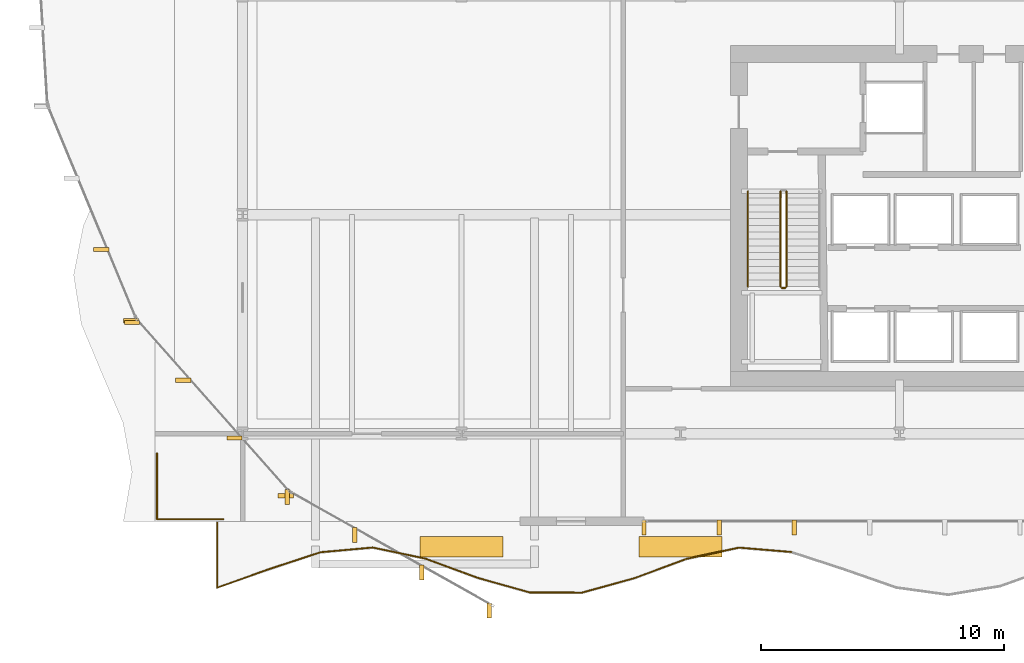
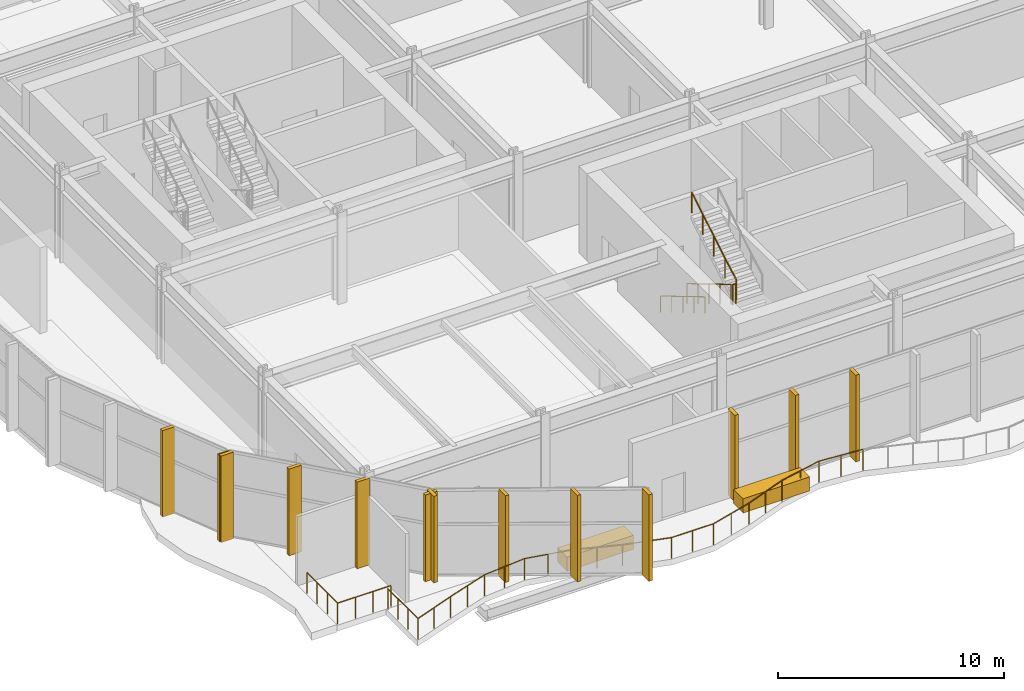
# One storey, part 22 of 28: 18 railings, 15 coverings.
"""IFC4 building model written with IfcOpenShell, lengths in metres."""

from ifc_helpers import new_model, si_unit, direction, frame, origin, origin_2d, place, context, subcontext, project, spatial, rectangle, circle, extrude, material, layer, layer_set, type_object, element, save


model = new_model("IFC4")

# Units and contexts
model_context = context("Model", 3, precision=1e-05, world=origin(), true_north=direction((0.0, 1.0)))
body_context = subcontext(model_context, "Body", "Model", "MODEL_VIEW")
ifc_project = project(units=[si_unit("LENGTHUNIT", "METRE"), si_unit("AREAUNIT", "SQUARE_METRE"), si_unit("VOLUMEUNIT", "CUBIC_METRE"), si_unit("PLANEANGLEUNIT", "RADIAN"), si_unit("MASSUNIT", "GRAM", prefix="KILO")], contexts=[model_context])

# Site, building, storey
site_placement = place(None, origin())
site = spatial("IfcSite", under=ifc_project, at=site_placement, CompositionType="ELEMENT")
building_placement = place(site_placement, origin())
building = spatial("IfcBuilding", under=site, at=building_placement, Name="Solvaryn Broadcast Tower", CompositionType="ELEMENT")
storey_placement = place(building_placement, frame((0.0, 0.0, 16.199951171875)))
storey = spatial("IfcBuildingStorey", under=building, at=storey_placement, Name="L03", CompositionType="ELEMENT", Elevation=16.199951171875)

# Coverings
ifc_material_1 = material(Name="Glazed Architectural Terracotta Rainscreen Cladding", Category="masonry")
ifc_layer_1 = layer(ifc_material_1, 0.280029296875)
ifc_layer_set_1 = layer_set([ifc_layer_1], Name="CV-TC-CLAD")
covering_type_1 = type_object("IfcCoveringType", Name="CV-TC-CLAD", PredefinedType="CLADDING", material=ifc_layer_set_1)
for number, where, z_axis, x_axis, name in (
    (1, (18.0, 4.35009765625, 0.0), (0.0, 0.0, 1.0), (1.0, 0.0, 0.0), "L03 Sky-Garden Planter Bed 1"),
    (2, (27.0, 4.35009765625, 0.0), (0.0, 0.0, 1.0), (1.0, 0.0, 0.0), "L03 Sky-Garden Planter Bed 2"),
):
    element("IfcCovering", number, at=place(storey_placement, frame(where, z_axis=z_axis, x_axis=x_axis)), inside=storey, type_object=covering_type_1, Name=name, PredefinedType="CLADDING", context=body_context, shape_type="SweptSolid", body=[
        extrude(rectangle(XDim=3.39990234375, YDim=0.85009765625, at=origin_2d()), origin(), (0.0, 0.0, 1.0), 0.760009765625),
    ])
ifc_material_2 = material(Name="Extruded Architectural Terracotta Fin", Category="masonry")
ifc_layer_2 = layer(ifc_material_2, 0.179931640625)
ifc_layer_set_2 = layer_set([ifc_layer_2], Name="CV-TC-FIN")
covering_type_2 = type_object("IfcCoveringType", Name="CV-TC-FIN", PredefinedType="USERDEFINED", material=ifc_layer_set_2)
for number, where, z_axis, x_axis, name in (
    (3, (31.681884765625, 5.14990234375, 0.0), (0.0, 0.0, 1.0), (1.0, 0.0, 0.0), "L03 Terracotta Vertical Fin FIN-POD-L03-S1-09"),
    (4, (28.5908203125, 5.14990234375, 0.0), (0.0, 0.0, 1.0), (1.0, 0.0, 0.0), "L03 Terracotta Vertical Fin FIN-POD-L03-S1-10"),
    (5, (25.5, 5.14990234375, 0.0), (0.0, 0.0, 1.0), (1.0, 0.0, 0.0), "L03 Terracotta Vertical Fin FIN-POD-L03-S1-11"),
):
    element("IfcCovering", number, at=place(storey_placement, frame(where, z_axis=z_axis, x_axis=x_axis)), inside=storey, type_object=covering_type_2, Name=name, ObjectType="FIN", PredefinedType="USERDEFINED", context=body_context, shape_type="SweptSolid", body=[
        extrude(rectangle(XDim=0.179931640625, YDim=0.6201171875, at=origin_2d()), origin(), (0.0, 0.0, 1.0), 4.679931640625),
    ])
for number, where, z_axis, x_axis, name in (
    (6, (3.19091796875, 16.568603515625, 0.0), (0.0, 0.0, 1.0), (1.0, 0.0, 0.0), "L03 Terracotta Vertical Fin FIN-POD-L03-DC2-02"),
    (7, (4.407958984375, 13.636962890625, 0.0), (0.0, 0.0, 1.0), (1.0, 0.0, 0.0), "L03 Terracotta Vertical Fin FIN-POD-L03-DC2-03"),
    (8, (4.450927734375, 13.570068359375, 0.0), (0.0, 0.0, 1.0), (1.0, 0.0, 0.0), "L03 Terracotta Vertical Fin FIN-POD-L03-DC3-00"),
    (9, (6.55859375, 11.196044921875, 0.0), (0.0, 0.0, 1.0), (1.0, 0.0, 0.0), "L03 Terracotta Vertical Fin FIN-POD-L03-DC3-01"),
    (10, (8.666259765625, 8.822021484375, 0.0), (0.0, 0.0, 1.0), (1.0, 0.0, 0.0), "L03 Terracotta Vertical Fin FIN-POD-L03-DC3-02"),
    (11, (10.77392578125, 6.447998046875, 0.0), (0.0, 0.0, 1.0), (1.0, 0.0, 0.0), "L03 Terracotta Vertical Fin FIN-POD-L03-DC3-03"),
):
    element("IfcCovering", number, at=place(storey_placement, frame(where, z_axis=z_axis, x_axis=x_axis)), inside=storey, type_object=covering_type_2, Name=name, ObjectType="FIN", PredefinedType="USERDEFINED", context=body_context, shape_type="SweptSolid", body=[
        extrude(rectangle(XDim=0.6201171875, YDim=0.179931640625, at=origin_2d()), origin(), (0.0, 0.0, 1.0), 4.679931640625),
    ])
for number, where, z_axis, x_axis, name in (
    (12, (10.8349609375, 6.39794921875, 0.0), (0.0, 0.0, 1.0), (1.0, 0.0, 0.0), "L03 Terracotta Vertical Fin FIN-POD-L03-DC4-00"),
    (13, (13.60205078125, 4.843017578125, 0.0), (0.0, 0.0, 1.0), (1.0, 0.0, 0.0), "L03 Terracotta Vertical Fin FIN-POD-L03-DC4-01"),
    (14, (16.368896484375, 3.2880859375, 0.0), (0.0, 0.0, 1.0), (1.0, 0.0, 0.0), "L03 Terracotta Vertical Fin FIN-POD-L03-DC4-02"),
    (15, (19.135986328125, 1.73291015625, 0.0), (0.0, 0.0, 1.0), (1.0, 0.0, 0.0), "L03 Terracotta Vertical Fin FIN-POD-L03-DC4-03"),
):
    element("IfcCovering", number, at=place(storey_placement, frame(where, z_axis=z_axis, x_axis=x_axis)), inside=storey, type_object=covering_type_2, Name=name, ObjectType="FIN", PredefinedType="USERDEFINED", context=body_context, shape_type="SweptSolid", body=[
        extrude(rectangle(XDim=0.179931640625, YDim=0.6201171875, at=origin_2d()), origin(), (0.0, 0.0, 1.0), 4.679931640625),
    ])

# Railings
ifc_material_3 = material(Name="Painted Steel Stair Well Guard", Category="steel")
railing_type_1 = type_object("IfcRailingType", Name="RL-STAIR-GUARD", PredefinedType="BALUSTRADE", material=ifc_material_3)
railing_1_placement = place(storey_placement, frame((31.110107421875, 18.9599609375, 0.166748046875)))
element("IfcRailing", 16, at=railing_1_placement, inside=storey, type_object=railing_type_1, Name="L03 ST3 stair guard 1", PredefinedType="BALUSTRADE", context=body_context, shape_type="SweptSolid", body=[
    extrude(circle(Radius=0.02392578125, at=origin_2d()), frame((0.0, 0.0, 1.076171875), z_axis=(0.0, -0.859296244711, 0.511478214419), x_axis=(1.0, 0.0, 0.0)), (0.0, 0.0, 1.0), 4.561767578125),
    extrude(circle(Radius=0.02099609375, at=origin_2d()), origin(), (0.0, 0.0, 1.0), 1.052001953125),
    extrude(circle(Radius=0.02099609375, at=origin_2d()), frame((0.0, -0.97998046875, 0.583251953125)), (0.0, 0.0, 1.0), 1.052001953125),
    extrude(circle(Radius=0.02099609375, at=origin_2d()), frame((0.0, -1.9599609375, 1.16650390625)), (0.0, 0.0, 1.0), 1.052001953125),
    extrude(circle(Radius=0.02099609375, at=origin_2d()), frame((0.0, -2.93994140625, 1.75)), (0.0, 0.0, 1.0), 1.052001953125),
    extrude(circle(Radius=0.02099609375, at=origin_2d()), frame((0.0, -3.919921875, 2.333251953125)), (0.0, 0.0, 1.0), 1.052001953125),
])
railing_2_placement = place(storey_placement, frame((31.159912109375, 14.989990234375, 2.5)))
element("IfcRailing", 17, at=railing_2_placement, inside=storey, type_object=railing_type_1, Name="L03 ST3 stair guard 2", PredefinedType="BALUSTRADE", context=body_context, shape_type="SweptSolid", body=[
    extrude(circle(Radius=0.02392578125, at=origin_2d()), frame((0.0, 0.0, 1.076171875), z_axis=(1.0, 0.0, 0.0), x_axis=(0.0, 1.0, 0.0)), (0.0, 0.0, 1.0), 0.150146484375),
    extrude(circle(Radius=0.02099609375, at=origin_2d()), origin(), (0.0, 0.0, 1.0), 1.052001953125),
    extrude(circle(Radius=0.02099609375, at=origin_2d()), frame((0.150146484375, 0.0, 0.0)), (0.0, 0.0, 1.0), 1.052001953125),
])
railing_3_placement = place(storey_placement, frame((31.360107421875, 15.0400390625, 2.666748046875)))
element("IfcRailing", 18, at=railing_3_placement, inside=storey, type_object=railing_type_1, Name="L03 ST3 stair guard 3", PredefinedType="BALUSTRADE", context=body_context, shape_type="SweptSolid", body=[
    extrude(circle(Radius=0.02392578125, at=origin_2d()), frame((0.0, 0.0, 1.076171875), z_axis=(0.0, 0.859296244711, 0.511478214419), x_axis=(-1.0, 0.0, 0.0)), (0.0, 0.0, 1.0), 4.561767578125),
    extrude(circle(Radius=0.02099609375, at=origin_2d()), origin(), (0.0, 0.0, 1.0), 1.052001953125),
    extrude(circle(Radius=0.02099609375, at=origin_2d()), frame((0.0, 0.97998046875, 0.583251953125)), (0.0, 0.0, 1.0), 1.052001953125),
    extrude(circle(Radius=0.02099609375, at=origin_2d()), frame((0.0, 1.9599609375, 1.16650390625)), (0.0, 0.0, 1.0), 1.052001953125),
    extrude(circle(Radius=0.02099609375, at=origin_2d()), frame((0.0, 2.93994140625, 1.75)), (0.0, 0.0, 1.0), 1.052001953125),
    extrude(circle(Radius=0.02099609375, at=origin_2d()), frame((0.0, 3.919921875, 2.333251953125)), (0.0, 0.0, 1.0), 1.052001953125),
])
ifc_material_4 = material(Name="Brushed Stainless Steel Tubular Handrail", Category="steel")
railing_type_2 = type_object("IfcRailingType", Name="RL-STAIR-HANDRAIL", PredefinedType="HANDRAIL", material=ifc_material_4)
railing_4_placement = place(storey_placement, frame((29.77001953125, 18.9599609375, 0.166748046875)))
element("IfcRailing", 19, at=railing_4_placement, inside=storey, type_object=railing_type_2, Name="L03 ST3 stair handrail 1", PredefinedType="HANDRAIL", context=body_context, shape_type="SweptSolid", body=[
    extrude(circle(Radius=0.02392578125, at=origin_2d()), frame((0.0, 0.0, 0.8759765625), z_axis=(0.0, -0.859296244711, 0.511478214419), x_axis=(1.0, 0.0, 0.0)), (0.0, 0.0, 1.0), 4.561767578125),
    extrude(circle(Radius=0.02099609375, at=origin_2d()), origin(), (0.0, 0.0, 1.0), 0.851806640625),
    extrude(circle(Radius=0.02099609375, at=origin_2d()), frame((0.0, -0.97998046875, 0.583251953125)), (0.0, 0.0, 1.0), 0.851806640625),
    extrude(circle(Radius=0.02099609375, at=origin_2d()), frame((0.0, -1.9599609375, 1.16650390625)), (0.0, 0.0, 1.0), 0.851806640625),
    extrude(circle(Radius=0.02099609375, at=origin_2d()), frame((0.0, -2.93994140625, 1.75)), (0.0, 0.0, 1.0), 0.851806640625),
    extrude(circle(Radius=0.02099609375, at=origin_2d()), frame((0.0, -3.919921875, 2.333251953125)), (0.0, 0.0, 1.0), 0.851806640625),
])
ifc_material_5 = material(Name="Stainless Steel and Laminated Glass Guard", Category="steel")
railing_type_3 = type_object("IfcRailingType", Name="RL-TER-1150", PredefinedType="BALUSTRADE", material=ifc_material_5)
railing_5_placement = place(storey_placement, frame((5.47998046875, 8.199951171875, 0.0)))
element("IfcRailing", 20, at=railing_5_placement, inside=storey, type_object=railing_type_3, Name="L03 Podium SW Corner Balustrade 1", PredefinedType="BALUSTRADE", context=body_context, shape_type="SweptSolid", body=[
    extrude(circle(Radius=0.02392578125, at=origin_2d()), frame((0.0, 0.0, 1.1259765625), z_axis=(0.0, -1.0, 0.0), x_axis=(1.0, 0.0, 0.0)), (0.0, 0.0, 1.0), 2.719970703125),
    extrude(circle(Radius=0.02099609375, at=origin_2d()), origin(), (0.0, 0.0, 1.0), 1.101806640625),
    extrude(circle(Radius=0.02099609375, at=origin_2d()), frame((0.0, -0.90673828125, 0.0)), (0.0, 0.0, 1.0), 1.101806640625),
    extrude(circle(Radius=0.02099609375, at=origin_2d()), frame((0.0, -1.813232421875, 0.0)), (0.0, 0.0, 1.0), 1.101806640625),
    extrude(circle(Radius=0.02099609375, at=origin_2d()), frame((0.0, -2.719970703125, 0.0)), (0.0, 0.0, 1.0), 1.101806640625),
])
railing_6_placement = place(storey_placement, frame((5.47998046875, 5.47998046875, 0.0)))
element("IfcRailing", 21, at=railing_6_placement, inside=storey, type_object=railing_type_3, Name="L03 Podium SW Corner Balustrade 2", PredefinedType="BALUSTRADE", context=body_context, shape_type="SweptSolid", body=[
    extrude(circle(Radius=0.02392578125, at=origin_2d()), frame((0.0, 0.0, 1.1259765625), z_axis=(1.0, 0.0, 0.0), x_axis=(0.0, 1.0, 0.0)), (0.0, 0.0, 1.0), 2.719970703125),
    extrude(circle(Radius=0.02099609375, at=origin_2d()), origin(), (0.0, 0.0, 1.0), 1.101806640625),
    extrude(circle(Radius=0.02099609375, at=origin_2d()), frame((0.90673828125, 0.0, 0.0)), (0.0, 0.0, 1.0), 1.101806640625),
    extrude(circle(Radius=0.02099609375, at=origin_2d()), frame((1.813232421875, 0.0, 0.0)), (0.0, 0.0, 1.0), 1.101806640625),
    extrude(circle(Radius=0.02099609375, at=origin_2d()), frame((2.719970703125, 0.0, 0.0)), (0.0, 0.0, 1.0), 1.101806640625),
])
railing_7_placement = place(storey_placement, frame((7.9599609375, 5.340087890625, 0.0)))
element("IfcRailing", 22, at=railing_7_placement, inside=storey, type_object=railing_type_3, Name="L03 Terrace Guard TS03S-1", PredefinedType="BALUSTRADE", context=body_context, shape_type="SweptSolid", body=[
    extrude(circle(Radius=0.02392578125, at=origin_2d()), frame((0.0, 0.0, 1.1259765625), z_axis=(0.0, -1.0, 0.0), x_axis=(1.0, 0.0, 0.0)), (0.0, 0.0, 1.0), 2.66943359375),
    extrude(circle(Radius=0.02099609375, at=origin_2d()), origin(), (0.0, 0.0, 1.0), 1.101806640625),
    extrude(circle(Radius=0.02099609375, at=origin_2d()), frame((0.0, -0.889892578125, 0.0)), (0.0, 0.0, 1.0), 1.101806640625),
    extrude(circle(Radius=0.02099609375, at=origin_2d()), frame((0.0, -1.779541015625, 0.0)), (0.0, 0.0, 1.0), 1.101806640625),
    extrude(circle(Radius=0.02099609375, at=origin_2d()), frame((0.0, -2.66943359375, 0.0)), (0.0, 0.0, 1.0), 1.101806640625),
])
railing_8_placement = place(storey_placement, frame((7.9599609375, 2.670654296875, 0.0)))
element("IfcRailing", 23, at=railing_8_placement, inside=storey, type_object=railing_type_3, Name="L03 Terrace Guard TS03S-2", PredefinedType="BALUSTRADE", context=body_context, shape_type="SweptSolid", body=[
    extrude(circle(Radius=0.02392578125, at=origin_2d()), frame((0.0, 0.0, 1.1259765625), z_axis=(0.941689638913, 0.336482724616, 0.0), x_axis=(-0.336482724616, 0.941689638913, 0.0)), (0.0, 0.0, 1.0), 2.219482421875),
    extrude(circle(Radius=0.02099609375, at=origin_2d()), origin(), (0.0, 0.0, 1.0), 1.101806640625),
    extrude(circle(Radius=0.02099609375, at=origin_2d()), frame((1.044921875, 0.37353515625, 0.0)), (0.0, 0.0, 1.0), 1.101806640625),
    extrude(circle(Radius=0.02099609375, at=origin_2d()), frame((2.090087890625, 0.746826171875, 0.0)), (0.0, 0.0, 1.0), 1.101806640625),
])
railing_9_placement = place(storey_placement, frame((10.050048828125, 3.41748046875, 0.0)))
element("IfcRailing", 24, at=railing_9_placement, inside=storey, type_object=railing_type_3, Name="L03 Terrace Guard TS03S-3", PredefinedType="BALUSTRADE", context=body_context, shape_type="SweptSolid", body=[
    extrude(circle(Radius=0.02392578125, at=origin_2d()), frame((0.0, 0.0, 1.1259765625), z_axis=(0.949788370572, 0.312893034639, 0.0), x_axis=(-0.312893034639, 0.949788370572, 0.0)), (0.0, 0.0, 1.0), 2.263671875),
    extrude(circle(Radius=0.02099609375, at=origin_2d()), origin(), (0.0, 0.0, 1.0), 1.101806640625),
    extrude(circle(Radius=0.02099609375, at=origin_2d()), frame((1.074951171875, 0.35400390625, 0.0)), (0.0, 0.0, 1.0), 1.101806640625),
    extrude(circle(Radius=0.02099609375, at=origin_2d()), frame((2.14990234375, 0.708251953125, 0.0)), (0.0, 0.0, 1.0), 1.101806640625),
])
railing_10_placement = place(storey_placement, frame((12.199951171875, 4.125732421875, 0.0)))
element("IfcRailing", 25, at=railing_10_placement, inside=storey, type_object=railing_type_3, Name="L03 Terrace Guard TS03S-4", PredefinedType="BALUSTRADE", context=body_context, shape_type="SweptSolid", body=[
    extrude(circle(Radius=0.02392578125, at=origin_2d()), frame((0.0, 0.0, 1.1259765625), z_axis=(0.995950475878, 0.089903557207, 0.0), x_axis=(-0.089903557207, 0.995950475878, 0.0)), (0.0, 0.0, 1.0), 2.158935546875),
    extrude(circle(Radius=0.02099609375, at=origin_2d()), origin(), (0.0, 0.0, 1.0), 1.101806640625),
    extrude(circle(Radius=0.02099609375, at=origin_2d()), frame((1.0751953125, 0.09716796875, 0.0)), (0.0, 0.0, 1.0), 1.101806640625),
    extrude(circle(Radius=0.02099609375, at=origin_2d()), frame((2.150146484375, 0.194091796875, 0.0)), (0.0, 0.0, 1.0), 1.101806640625),
])
railing_11_placement = place(storey_placement, frame((14.35009765625, 4.31982421875, 0.0)))
element("IfcRailing", 26, at=railing_11_placement, inside=storey, type_object=railing_type_3, Name="L03 Terrace Guard TS03S-5", PredefinedType="BALUSTRADE", context=body_context, shape_type="SweptSolid", body=[
    extrude(circle(Radius=0.02392578125, at=origin_2d()), frame((0.0, 0.0, 1.1259765625), z_axis=(0.978748622742, -0.205063730293, 0.0), x_axis=(0.205063730293, 0.978748622742, 0.0)), (0.0, 0.0, 1.0), 2.196533203125),
    extrude(circle(Radius=0.02099609375, at=origin_2d()), origin(), (0.0, 0.0, 1.0), 1.101806640625),
    extrude(circle(Radius=0.02099609375, at=origin_2d()), frame((1.074951171875, -0.22509765625, 0.0)), (0.0, 0.0, 1.0), 1.101806640625),
    extrude(circle(Radius=0.02099609375, at=origin_2d()), frame((2.14990234375, -0.450439453125, 0.0)), (0.0, 0.0, 1.0), 1.101806640625),
])
railing_12_placement = place(storey_placement, frame((16.5, 3.869384765625, 0.0)))
element("IfcRailing", 27, at=railing_12_placement, inside=storey, type_object=railing_type_3, Name="L03 Terrace Guard TS03S-6", PredefinedType="BALUSTRADE", context=body_context, shape_type="SweptSolid", body=[
    extrude(circle(Radius=0.02392578125, at=origin_2d()), frame((0.0, 0.0, 1.1259765625), z_axis=(0.938284890484, -0.345863360721, 0.0), x_axis=(0.345863360721, 0.938284890484, 0.0)), (0.0, 0.0, 1.0), 2.291259765625),
    extrude(circle(Radius=0.02099609375, at=origin_2d()), origin(), (0.0, 0.0, 1.0), 1.101806640625),
    extrude(circle(Radius=0.02099609375, at=origin_2d()), frame((1.074951171875, -0.396240234375, 0.0)), (0.0, 0.0, 1.0), 1.101806640625),
    extrude(circle(Radius=0.02099609375, at=origin_2d()), frame((2.14990234375, -0.79248046875, 0.0)), (0.0, 0.0, 1.0), 1.101806640625),
])
railing_13_placement = place(storey_placement, frame((18.64990234375, 3.076904296875, 0.0)))
element("IfcRailing", 28, at=railing_13_placement, inside=storey, type_object=railing_type_3, Name="L03 Terrace Guard TS03S-7", PredefinedType="BALUSTRADE", context=body_context, shape_type="SweptSolid", body=[
    extrude(circle(Radius=0.02392578125, at=origin_2d()), frame((0.0, 0.0, 1.1259765625), z_axis=(0.962934489598, -0.269735367984, 0.0), x_axis=(0.269735367984, 0.962934489598, 0.0)), (0.0, 0.0, 1.0), 2.23291015625),
    extrude(circle(Radius=0.02099609375, at=origin_2d()), origin(), (0.0, 0.0, 1.0), 1.101806640625),
    extrude(circle(Radius=0.02099609375, at=origin_2d()), frame((1.0751953125, -0.30126953125, 0.0)), (0.0, 0.0, 1.0), 1.101806640625),
    extrude(circle(Radius=0.02099609375, at=origin_2d()), frame((2.150146484375, -0.602294921875, 0.0)), (0.0, 0.0, 1.0), 1.101806640625),
])
railing_14_placement = place(storey_placement, frame((20.800048828125, 2.474609375, 0.0)))
element("IfcRailing", 29, at=railing_14_placement, inside=storey, type_object=railing_type_3, Name="L03 Terrace Guard TS03S-8", PredefinedType="BALUSTRADE", context=body_context, shape_type="SweptSolid", body=[
    extrude(circle(Radius=0.02392578125, at=origin_2d()), frame((0.0, 0.0, 1.1259765625), z_axis=(0.999993397502, -0.003633861994, 0.0), x_axis=(0.003633861994, 0.999993397502, 0.0)), (0.0, 0.0, 1.0), 2.14990234375),
    extrude(circle(Radius=0.02099609375, at=origin_2d()), origin(), (0.0, 0.0, 1.0), 1.101806640625),
    extrude(circle(Radius=0.02099609375, at=origin_2d()), frame((1.074951171875, -0.00390625, 0.0)), (0.0, 0.0, 1.0), 1.101806640625),
    extrude(circle(Radius=0.02099609375, at=origin_2d()), frame((2.14990234375, -0.0078125, 0.0)), (0.0, 0.0, 1.0), 1.101806640625),
])
railing_15_placement = place(storey_placement, frame((22.949951171875, 2.466796875, 0.0)))
element("IfcRailing", 30, at=railing_15_placement, inside=storey, type_object=railing_type_3, Name="L03 Terrace Guard TS03S-9", PredefinedType="BALUSTRADE", context=body_context, shape_type="SweptSolid", body=[
    extrude(circle(Radius=0.02392578125, at=origin_2d()), frame((0.0, 0.0, 1.1259765625), z_axis=(0.964147292525, 0.265367666297, 0.0), x_axis=(-0.265367666297, 0.964147292525, 0.0)), (0.0, 0.0, 1.0), 2.22998046875),
    extrude(circle(Radius=0.02099609375, at=origin_2d()), origin(), (0.0, 0.0, 1.0), 1.101806640625),
    extrude(circle(Radius=0.02099609375, at=origin_2d()), frame((1.0751953125, 0.2958984375, 0.0)), (0.0, 0.0, 1.0), 1.101806640625),
    extrude(circle(Radius=0.02099609375, at=origin_2d()), frame((2.150146484375, 0.591796875, 0.0)), (0.0, 0.0, 1.0), 1.101806640625),
])
railing_16_placement = place(storey_placement, frame((25.10009765625, 3.05859375, 0.0)))
element("IfcRailing", 31, at=railing_16_placement, inside=storey, type_object=railing_type_3, Name="L03 Terrace Guard TS03S-10", PredefinedType="BALUSTRADE", context=body_context, shape_type="SweptSolid", body=[
    extrude(circle(Radius=0.02392578125, at=origin_2d()), frame((0.0, 0.0, 1.1259765625), z_axis=(0.938008051075, 0.346613467885, 0.0), x_axis=(-0.346613467885, 0.938008051075, 0.0)), (0.0, 0.0, 1.0), 2.2919921875),
    extrude(circle(Radius=0.02099609375, at=origin_2d()), origin(), (0.0, 0.0, 1.0), 1.101806640625),
    extrude(circle(Radius=0.02099609375, at=origin_2d()), frame((1.074951171875, 0.397216796875, 0.0)), (0.0, 0.0, 1.0), 1.101806640625),
    extrude(circle(Radius=0.02099609375, at=origin_2d()), frame((2.14990234375, 0.79443359375, 0.0)), (0.0, 0.0, 1.0), 1.101806640625),
])
railing_17_placement = place(storey_placement, frame((27.25, 3.85302734375, 0.0)))
element("IfcRailing", 32, at=railing_17_placement, inside=storey, type_object=railing_type_3, Name="L03 Terrace Guard TS03S-11", PredefinedType="BALUSTRADE", context=body_context, shape_type="SweptSolid", body=[
    extrude(circle(Radius=0.02392578125, at=origin_2d()), frame((0.0, 0.0, 1.1259765625), z_axis=(0.977551539092, 0.210696436656, 0.0), x_axis=(-0.210696436656, 0.977551539092, 0.0)), (0.0, 0.0, 1.0), 2.19921875),
    extrude(circle(Radius=0.02099609375, at=origin_2d()), origin(), (0.0, 0.0, 1.0), 1.101806640625),
    extrude(circle(Radius=0.02099609375, at=origin_2d()), frame((1.074951171875, 0.231689453125, 0.0)), (0.0, 0.0, 1.0), 1.101806640625),
    extrude(circle(Radius=0.02099609375, at=origin_2d()), frame((2.14990234375, 0.46337890625, 0.0)), (0.0, 0.0, 1.0), 1.101806640625),
])
railing_18_placement = place(storey_placement, frame((29.39990234375, 4.31640625, 0.0)))
element("IfcRailing", 33, at=railing_18_placement, inside=storey, type_object=railing_type_3, Name="L03 Terrace Guard TS03S-12", PredefinedType="BALUSTRADE", context=body_context, shape_type="SweptSolid", body=[
    extrude(circle(Radius=0.02392578125, at=origin_2d()), frame((0.0, 0.0, 1.1259765625), z_axis=(0.996554337078, -0.082942469522, 0.0), x_axis=(0.082942469522, 0.996554337078, 0.0)), (0.0, 0.0, 1.0), 2.157470703125),
    extrude(circle(Radius=0.02099609375, at=origin_2d()), origin(), (0.0, 0.0, 1.0), 1.101806640625),
    extrude(circle(Radius=0.02099609375, at=origin_2d()), frame((1.0751953125, -0.08935546875, 0.0)), (0.0, 0.0, 1.0), 1.101806640625),
    extrude(circle(Radius=0.02099609375, at=origin_2d()), frame((2.150146484375, -0.178955078125, 0.0)), (0.0, 0.0, 1.0), 1.101806640625),
])

save(model, "model.ifc")
